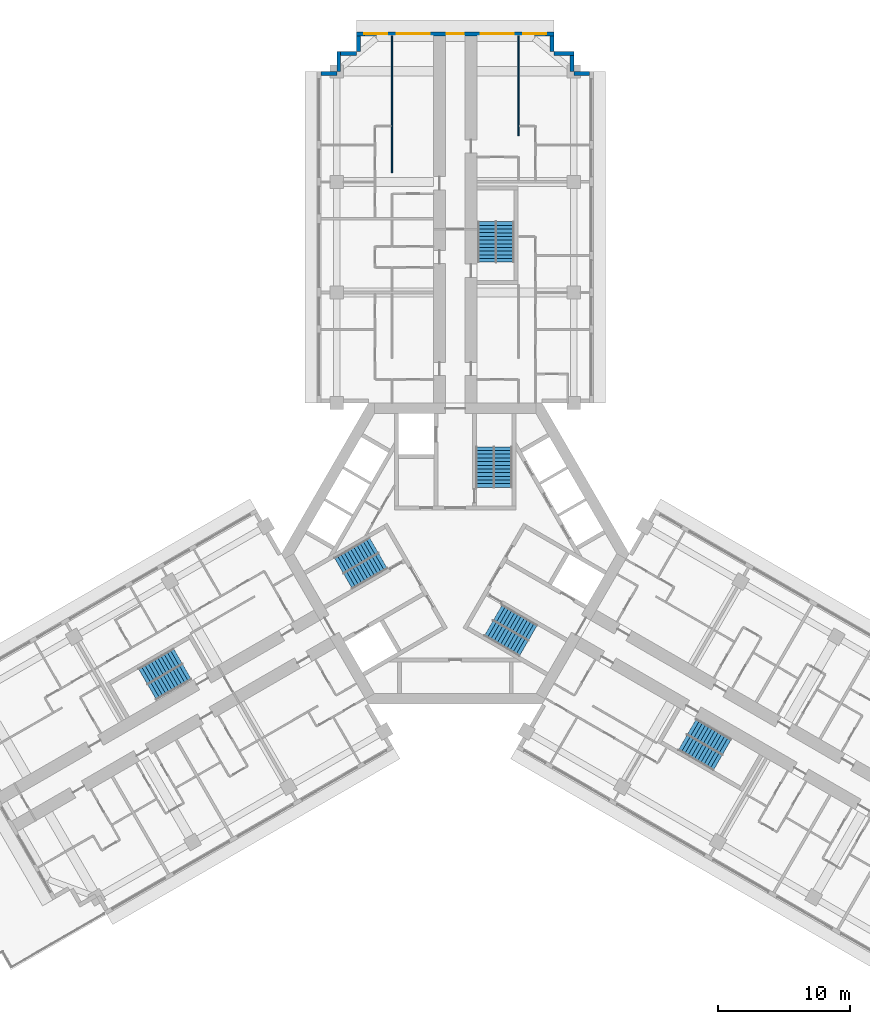
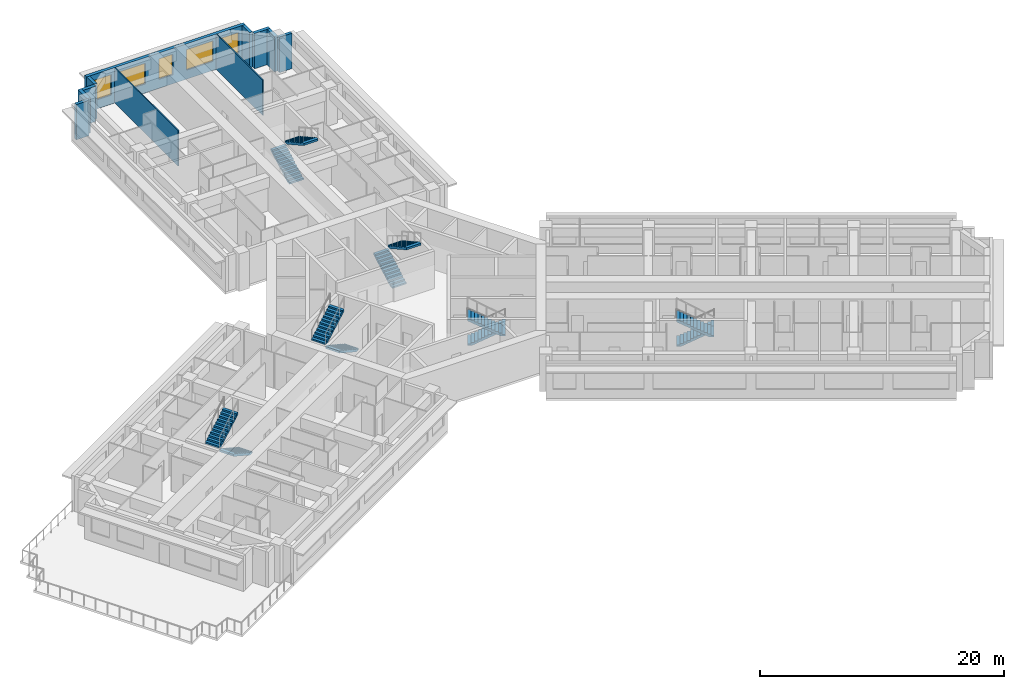
# One storey, part 13 of 15: 12 stair flights, 11 walls, 5 windows, 5 openings, 6 elements without a shape of their own.
"""IFC4 building model written with IfcOpenShell, lengths in metres."""

from ifc_helpers import new_model, si_unit, direction, frame, frame_2d, origin, place, context, subcontext, project, spatial, polyline, rectangle, outline, extrude, material, layer, layer_set, type_object, element, fill, aggregate, save


model = new_model("IFC4")

# Units and contexts
model_context = context("Model", 3, precision=1e-05, world=origin(), true_north=direction((0.0, 1.0)))
body_context = subcontext(model_context, "Body", "Model", "MODEL_VIEW")
ifc_project = project(units=[si_unit("LENGTHUNIT", "METRE"), si_unit("AREAUNIT", "SQUARE_METRE"), si_unit("VOLUMEUNIT", "CUBIC_METRE"), si_unit("PLANEANGLEUNIT", "RADIAN"), si_unit("MASSUNIT", "GRAM", prefix="KILO")], contexts=[model_context])

# Site, building, storey
site_placement = place(None, origin())
site = spatial("IfcSite", under=ifc_project, at=site_placement, CompositionType="ELEMENT")
building_placement = place(site_placement, origin())
building = spatial("IfcBuilding", under=site, at=building_placement, Name="Impinga Residences", CompositionType="ELEMENT")
storey_placement = place(building_placement, frame((0.0, 0.0, 132.25)))
storey = spatial("IfcBuildingStorey", under=building, at=storey_placement, Name="L32", CompositionType="ELEMENT", Elevation=132.25)

# Walls
ifc_material_1 = material(Name="Terracotta rainscreen on blockwork", Category="masonry")
ifc_layer_1 = layer(ifc_material_1, 0.300048828125)
ifc_layer_set_1 = layer_set([ifc_layer_1], Name="EW1 external wall, terracotta rainscreen on blockwork 300")
wall_type_1 = type_object("IfcWallType", Name="EW1 external wall, terracotta rainscreen on blockwork 300", PredefinedType="SOLIDWALL", material=ifc_layer_set_1)
wall_1_placement = place(storey_placement, frame((-10.199951171875, 36.4814453125, 0.0), z_axis=(0.0, 0.0, 1.0), x_axis=(1.0, 0.0, 0.0)))
element("IfcWall", 1, at=wall_1_placement, inside=storey, type_object=wall_type_1, Name="External wall EW1 L32", PredefinedType="SOLIDWALL", context=body_context, shape_type="SweptSolid", body=[
    extrude(rectangle(XDim=1.199951171875, YDim=0.300048828125, at=frame_2d((0.60009765625, 0.0))), origin(), (0.0, 0.0, 1.0), 3.530029296875),
])
wall_2_placement = place(storey_placement, frame((-8.85009765625, 36.636474609375, 0.0), z_axis=(0.0, 0.0, 1.0), x_axis=(0.0, 1.0, 0.0)))
element("IfcWall", 2, at=wall_2_placement, inside=storey, type_object=wall_type_1, Name="External wall EW1 L32", PredefinedType="SOLIDWALL", context=body_context, shape_type="SweptSolid", body=[
    extrude(rectangle(XDim=1.4951171875, YDim=0.300048828125, at=frame_2d((0.74755859375, 0.0))), origin(), (0.0, 0.0, 1.0), 3.530029296875),
])
wall_3_placement = place(storey_placement, frame((-8.699951171875, 37.9814453125, 0.0), z_axis=(0.0, 0.0, 1.0), x_axis=(1.0, 0.0, 0.0)))
element("IfcWall", 3, at=wall_3_placement, inside=storey, type_object=wall_type_1, Name="External wall EW1 L32", PredefinedType="SOLIDWALL", context=body_context, shape_type="SweptSolid", body=[
    extrude(rectangle(XDim=1.199951171875, YDim=0.300048828125, at=frame_2d((0.60009765625, 0.0))), origin(), (0.0, 0.0, 1.0), 3.530029296875),
])
wall_4_placement = place(storey_placement, frame((-7.35009765625, 38.136474609375, 0.0), z_axis=(0.0, 0.0, 1.0), x_axis=(0.0, 1.0, 0.0)))
element("IfcWall", 4, at=wall_4_placement, inside=storey, type_object=wall_type_1, Name="External wall EW1 L32", PredefinedType="SOLIDWALL", context=body_context, shape_type="SweptSolid", body=[
    extrude(rectangle(XDim=1.195068359375, YDim=0.300048828125, at=frame_2d((0.59765625, 0.0))), origin(), (0.0, 0.0, 1.0), 3.530029296875),
])

# Wall, openings, windows
wall_5_placement = place(storey_placement, frame((-7.5, 39.4814453125, 0.0), z_axis=(0.0, 0.0, 1.0), x_axis=(1.0, 0.0, 0.0)))
wall_5 = element("IfcWall", 5, at=wall_5_placement, inside=storey, type_object=wall_type_1, Name="External wall EW1 L32", PredefinedType="SOLIDWALL", context=body_context, shape_type="SweptSolid", body=[
    extrude(rectangle(XDim=15.0, YDim=0.300048828125, at=frame_2d((7.5, 0.0))), origin(), (0.0, 0.0, 1.0), 3.530029296875),
])
opening_1_placement = place(wall_5_placement, frame((0.60009765625, 0.0, 0.89990234375)))
opening_1 = element("IfcOpeningElement", 6, at=opening_1_placement, cuts=wall_5, Name="Opening W1", PredefinedType="OPENING", context=body_context, shape_type="SweptSolid", body=[
    extrude(rectangle(XDim=1.75, YDim=2.050048828125, at=frame_2d((0.875, 1.02490234375))), frame((0.0, 0.159912109375, 0.0), z_axis=(0.0, -1.0, 0.0), x_axis=(1.0, 0.0, 0.0)), (0.0, 0.0, 1.0), 0.320068359375),
])
opening_2_placement = place(wall_5_placement, frame((3.050048828125, 0.0, 0.89990234375)))
opening_2 = element("IfcOpeningElement", 7, at=opening_2_placement, cuts=wall_5, Name="Opening W2", PredefinedType="OPENING", context=body_context, shape_type="SweptSolid", body=[
    extrude(rectangle(XDim=2.5, YDim=2.050048828125, at=frame_2d((1.25, 1.02490234375))), frame((0.0, 0.159912109375, 0.0), z_axis=(0.0, -1.0, 0.0), x_axis=(1.0, 0.0, 0.0)), (0.0, 0.0, 1.0), 0.320068359375),
])
opening_3_placement = place(wall_5_placement, frame((6.85009765625, 0.0, 0.89990234375)))
opening_3 = element("IfcOpeningElement", 8, at=opening_3_placement, cuts=wall_5, Name="Opening W17", PredefinedType="OPENING", context=body_context, shape_type="SweptSolid", body=[
    extrude(rectangle(XDim=1.300048828125, YDim=2.050048828125, at=frame_2d((0.64990234375, 1.02490234375))), frame((0.0, 0.159912109375, 0.0), z_axis=(0.0, -1.0, 0.0), x_axis=(1.0, 0.0, 0.0)), (0.0, 0.0, 1.0), 0.320068359375),
])
opening_4_placement = place(wall_5_placement, frame((9.449951171875, 0.0, 0.89990234375)))
opening_4 = element("IfcOpeningElement", 9, at=opening_4_placement, cuts=wall_5, Name="Opening W2", PredefinedType="OPENING", context=body_context, shape_type="SweptSolid", body=[
    extrude(rectangle(XDim=2.5, YDim=2.050048828125, at=frame_2d((1.25, 1.02490234375))), frame((0.0, 0.159912109375, 0.0), z_axis=(0.0, -1.0, 0.0), x_axis=(1.0, 0.0, 0.0)), (0.0, 0.0, 1.0), 0.320068359375),
])
opening_5_placement = place(wall_5_placement, frame((12.64990234375, 0.0, 0.89990234375)))
opening_5 = element("IfcOpeningElement", 10, at=opening_5_placement, cuts=wall_5, Name="Opening W1", PredefinedType="OPENING", context=body_context, shape_type="SweptSolid", body=[
    extrude(rectangle(XDim=1.75, YDim=2.050048828125, at=frame_2d((0.875, 1.02490234375))), frame((0.0, 0.159912109375, 0.0), z_axis=(0.0, -1.0, 0.0), x_axis=(1.0, 0.0, 0.0)), (0.0, 0.0, 1.0), 0.320068359375),
])
ifc_material_2 = material(Name="Aluminium window, clear double glazing", Category="aluminium")
window_type_1 = type_object("IfcWindowType", Name="W1 ribbon window 1750x2050", PartitioningType="SINGLE_PANEL", PredefinedType="WINDOW", material=ifc_material_2)
window_1_placement = place(opening_1_placement, origin())
window_1 = element("IfcWindow", 11, at=window_1_placement, inside=storey, type_object=window_type_1, Name="Window L32", OverallHeight=2.050048828125, OverallWidth=1.75, PartitioningType="SINGLE_PANEL", PredefinedType="WINDOW", context=body_context, shape_type="SweptSolid", body=[
    extrude(rectangle(XDim=1.75, YDim=2.050048828125, at=frame_2d((0.875, 1.02490234375))), frame((0.0, 0.030029296875, 0.0), z_axis=(0.0, -1.0, 0.0), x_axis=(1.0, 0.0, 0.0)), (0.0, 0.0, 1.0), 0.06005859375),
])
fill(opening_1, window_1)
window_2_placement = place(opening_5_placement, origin())
window_2 = element("IfcWindow", 12, at=window_2_placement, inside=storey, type_object=window_type_1, Name="Window L32", OverallHeight=2.050048828125, OverallWidth=1.75, PartitioningType="SINGLE_PANEL", PredefinedType="WINDOW", context=body_context, shape_type="SweptSolid", body=[
    extrude(rectangle(XDim=1.75, YDim=2.050048828125, at=frame_2d((0.875, 1.02490234375))), frame((0.0, 0.030029296875, 0.0), z_axis=(0.0, -1.0, 0.0), x_axis=(1.0, 0.0, 0.0)), (0.0, 0.0, 1.0), 0.06005859375),
])
fill(opening_5, window_2)
window_type_2 = type_object("IfcWindowType", Name="W17 ribbon window 1300x2050", PartitioningType="SINGLE_PANEL", PredefinedType="WINDOW", material=ifc_material_2)
window_3_placement = place(opening_3_placement, origin())
window_3 = element("IfcWindow", 13, at=window_3_placement, inside=storey, type_object=window_type_2, Name="Window L32", OverallHeight=2.050048828125, OverallWidth=1.300048828125, PartitioningType="SINGLE_PANEL", PredefinedType="WINDOW", context=body_context, shape_type="SweptSolid", body=[
    extrude(rectangle(XDim=1.300048828125, YDim=2.050048828125, at=frame_2d((0.64990234375, 1.02490234375))), frame((0.0, 0.030029296875, 0.0), z_axis=(0.0, -1.0, 0.0), x_axis=(1.0, 0.0, 0.0)), (0.0, 0.0, 1.0), 0.06005859375),
])
fill(opening_3, window_3)
window_type_3 = type_object("IfcWindowType", Name="W2 ribbon window 2500x2050", PartitioningType="SINGLE_PANEL", PredefinedType="WINDOW", material=ifc_material_2)
window_4_placement = place(opening_2_placement, origin())
window_4 = element("IfcWindow", 14, at=window_4_placement, inside=storey, type_object=window_type_3, Name="Window L32", OverallHeight=2.050048828125, OverallWidth=2.5, PartitioningType="SINGLE_PANEL", PredefinedType="WINDOW", context=body_context, shape_type="SweptSolid", body=[
    extrude(rectangle(XDim=2.5, YDim=2.050048828125, at=frame_2d((1.25, 1.02490234375))), frame((0.0, 0.030029296875, 0.0), z_axis=(0.0, -1.0, 0.0), x_axis=(1.0, 0.0, 0.0)), (0.0, 0.0, 1.0), 0.06005859375),
])
fill(opening_2, window_4)
window_5_placement = place(opening_4_placement, origin())
window_5 = element("IfcWindow", 15, at=window_5_placement, inside=storey, type_object=window_type_3, Name="Window L32", OverallHeight=2.050048828125, OverallWidth=2.5, PartitioningType="SINGLE_PANEL", PredefinedType="WINDOW", context=body_context, shape_type="SweptSolid", body=[
    extrude(rectangle(XDim=2.5, YDim=2.050048828125, at=frame_2d((1.25, 1.02490234375))), frame((0.0, 0.030029296875, 0.0), z_axis=(0.0, -1.0, 0.0), x_axis=(1.0, 0.0, 0.0)), (0.0, 0.0, 1.0), 0.06005859375),
])
fill(opening_4, window_5)

# Walls
wall_6_placement = place(storey_placement, frame((7.35009765625, 39.33154296875, 0.0), z_axis=(0.0, 0.0, 1.0), x_axis=(0.0, -1.0, 0.0)))
element("IfcWall", 16, at=wall_6_placement, inside=storey, type_object=wall_type_1, Name="External wall EW1 L32", PredefinedType="SOLIDWALL", context=body_context, shape_type="SweptSolid", body=[
    extrude(rectangle(XDim=1.195068359375, YDim=0.300048828125, at=frame_2d((0.59765625, 0.0))), origin(), (0.0, 0.0, 1.0), 3.530029296875),
])
wall_7_placement = place(storey_placement, frame((7.5, 37.9814453125, 0.0), z_axis=(0.0, 0.0, 1.0), x_axis=(1.0, 0.0, 0.0)))
element("IfcWall", 17, at=wall_7_placement, inside=storey, type_object=wall_type_1, Name="External wall EW1 L32", PredefinedType="SOLIDWALL", context=body_context, shape_type="SweptSolid", body=[
    extrude(rectangle(XDim=1.5, YDim=0.300048828125, at=frame_2d((0.75, 0.0))), origin(), (0.0, 0.0, 1.0), 3.530029296875),
])
wall_8_placement = place(storey_placement, frame((8.85009765625, 37.83154296875, 0.0), z_axis=(0.0, 0.0, 1.0), x_axis=(0.0, -1.0, 0.0)))
element("IfcWall", 18, at=wall_8_placement, inside=storey, type_object=wall_type_1, Name="External wall EW1 L32", PredefinedType="SOLIDWALL", context=body_context, shape_type="SweptSolid", body=[
    extrude(rectangle(XDim=1.199951171875, YDim=0.300048828125, at=frame_2d((0.60009765625, 0.0))), origin(), (0.0, 0.0, 1.0), 3.530029296875),
])
wall_9_placement = place(storey_placement, frame((9.0048828125, 36.4814453125, 0.0), z_axis=(0.0, 0.0, 1.0), x_axis=(1.0, 0.0, 0.0)))
element("IfcWall", 19, at=wall_9_placement, inside=storey, type_object=wall_type_1, Name="External wall EW1 L32", PredefinedType="SOLIDWALL", context=body_context, shape_type="SweptSolid", body=[
    extrude(rectangle(XDim=1.195068359375, YDim=0.300048828125, at=frame_2d((0.59765625, 0.0))), origin(), (0.0, 0.0, 1.0), 3.530029296875),
])
ifc_material_3 = material(Name="Gypsum board on steel studs", Category="steel")
ifc_layer_2 = layer(ifc_material_3, 0.10009765625)
ifc_layer_set_2 = layer_set([ifc_layer_2], Name="Gypsum board on steel studs")
wall_type_2 = type_object("IfcWallType", Name="IP1 partition 100", PredefinedType="PARTITIONING", material=ifc_layer_set_2)
wall_10_placement = place(storey_placement, frame((-4.800048828125, 28.931640625, 0.0), z_axis=(0.0, 0.0, 1.0), x_axis=(0.0, 1.0, 0.0)))
element("IfcWall", 20, at=wall_10_placement, inside=storey, type_object=wall_type_2, Name="Partition L32-NA3:DIV1", PredefinedType="PARTITIONING", context=body_context, shape_type="SweptSolid", body=[
    extrude(rectangle(XDim=10.39990234375, YDim=0.10009765625, at=frame_2d((5.199951171875, 0.0))), origin(), (0.0, 0.0, 1.0), 3.530029296875),
])
wall_11_placement = place(storey_placement, frame((4.800048828125, 31.7314453125, 0.0), z_axis=(0.0, 0.0, 1.0), x_axis=(0.0, 1.0, 0.0)))
element("IfcWall", 21, at=wall_11_placement, inside=storey, type_object=wall_type_2, Name="Partition L32-NF2:DIV1", PredefinedType="PARTITIONING", context=body_context, shape_type="SweptSolid", body=[
    extrude(rectangle(XDim=7.60009765625, YDim=0.10009765625, at=frame_2d((3.800048828125, 0.0))), origin(), (0.0, 0.0, 1.0), 3.530029296875),
])

# Stair, stair flights
ifc_material_4 = material(Name="Concrete C40/50", Category="concrete")
stair_type_1 = type_object("IfcStairType", Name="STR core stair 3750 storey, 24 risers", PredefinedType="HALF_TURN_STAIR", material=ifc_material_4)
stair_1_placement = place(storey_placement, origin())
stair_1 = element("IfcStair", 22, at=stair_1_placement, inside=storey, type_object=stair_type_1, Name="Stair ST1 L32", PredefinedType="HALF_TURN_STAIR")
stair_flight_type = type_object("IfcStairFlightType", Name="SF 12 risers of 156", PredefinedType="STRAIGHT", material=ifc_material_4)
stair_flight_1_placement = place(storey_placement, frame((2.27490234375, 5.030029296875, 0.0), z_axis=(0.0, 0.0, 1.0), x_axis=(0.0, 1.0, 0.0)))
stair_flight_1 = element("IfcStairFlight", 23, at=stair_flight_1_placement, type_object=stair_flight_type, Name="ST1 flight 1", NumberOfRisers=12, NumberOfTreads=11, PredefinedType="STRAIGHT", RiserHeight=0.15625, TreadLength=0.28, context=body_context, shape_type="SweptSolid", body=[
    extrude(outline(polyline([(0.0, 0.0), (0.0, 0.15625), (0.280029296875, 0.15625), (0.280029296875, 0.3125), (0.56005859375, 0.3125), (0.56005859375, 0.46875), (0.840087890625, 0.46875), (0.840087890625, 0.625), (1.1201171875, 0.625), (1.1201171875, 0.78125), (1.39990234375, 0.78125), (1.39990234375, 0.9375), (1.679931640625, 0.9375), (1.679931640625, 1.09375), (1.9599609375, 1.09375), (1.9599609375, 1.25), (2.239990234375, 1.25), (2.239990234375, 1.40625), (2.52001953125, 1.40625), (2.52001953125, 1.5625), (2.800048828125, 1.5625), (2.800048828125, 1.71875), (3.080078125, 1.71875), (3.080078125, 1.875), (3.080078125, 1.5126953125), (0.369140625, 0.0), (0.0, 0.0)])), frame((0.0, 0.675048828125, 0.0), z_axis=(0.0, -1.0, 0.0), x_axis=(1.0, 0.0, 0.0)), (0.0, 0.0, 1.0), 1.35009765625),
])
stair_flight_2_placement = place(storey_placement, frame((3.625, 8.110107421875, 1.875), z_axis=(0.0, 0.0, 1.0), x_axis=(0.0, -1.0, 0.0)))
stair_flight_2 = element("IfcStairFlight", 24, at=stair_flight_2_placement, type_object=stair_flight_type, Name="ST1 flight 2", NumberOfRisers=12, NumberOfTreads=11, PredefinedType="STRAIGHT", RiserHeight=0.15625, TreadLength=0.28, context=body_context, shape_type="SweptSolid", body=[
    extrude(outline(polyline([(0.0, 0.0), (0.0, 0.15625), (0.280029296875, 0.15625), (0.280029296875, 0.3125), (0.56005859375, 0.3125), (0.56005859375, 0.46875), (0.840087890625, 0.46875), (0.840087890625, 0.625), (1.1201171875, 0.625), (1.1201171875, 0.78125), (1.39990234375, 0.78125), (1.39990234375, 0.9375), (1.679931640625, 0.9375), (1.679931640625, 1.09375), (1.9599609375, 1.09375), (1.9599609375, 1.25), (2.239990234375, 1.25), (2.239990234375, 1.40625), (2.52001953125, 1.40625), (2.52001953125, 1.5625), (2.800048828125, 1.5625), (2.800048828125, 1.71875), (3.080078125, 1.71875), (3.080078125, 1.875), (3.080078125, 1.5126953125), (0.369140625, 0.0), (0.0, 0.0)])), frame((0.0, 0.675048828125, 0.0), z_axis=(0.0, -1.0, 0.0), x_axis=(1.0, 0.0, 0.0)), (0.0, 0.0, 1.0), 1.35009765625),
])
aggregate(stair_1, [stair_flight_1, stair_flight_2])

stair_2_placement = place(storey_placement, origin())
stair_2 = element("IfcStair", 25, at=stair_2_placement, inside=storey, type_object=stair_type_1, Name="Stair ST2 L32", PredefinedType="HALF_TURN_STAIR")
stair_flight_3_placement = place(storey_placement, frame((-5.49365234375, -0.544677734375, 0.0), z_axis=(0.0, 0.0, 1.0), x_axis=(-0.866025403784, -0.5, 0.0)))
stair_flight_3 = element("IfcStairFlight", 26, at=stair_flight_3_placement, type_object=stair_flight_type, Name="ST2 flight 1", NumberOfRisers=12, NumberOfTreads=11, PredefinedType="STRAIGHT", RiserHeight=0.15625, TreadLength=0.28, context=body_context, shape_type="SweptSolid", body=[
    extrude(outline(polyline([(0.0, 0.0), (0.0, 0.15625), (0.280029296875, 0.15625), (0.280029296875, 0.3125), (0.56005859375, 0.3125), (0.56005859375, 0.46875), (0.840087890625, 0.46875), (0.840087890625, 0.625), (1.1201171875, 0.625), (1.1201171875, 0.78125), (1.39990234375, 0.78125), (1.39990234375, 0.9375), (1.679931640625, 0.9375), (1.679931640625, 1.09375), (1.9599609375, 1.09375), (1.9599609375, 1.25), (2.239990234375, 1.25), (2.239990234375, 1.40625), (2.52001953125, 1.40625), (2.52001953125, 1.5625), (2.800048828125, 1.5625), (2.800048828125, 1.71875), (3.080078125, 1.71875), (3.080078125, 1.875), (3.080078125, 1.5126953125), (0.369140625, 0.0), (0.0, 0.0)])), frame((0.0, 0.675048828125, 0.0), z_axis=(0.0, -1.0, 0.0), x_axis=(1.0, 0.0, 0.0)), (0.0, 0.0, 1.0), 1.35009765625),
])
stair_flight_4_placement = place(storey_placement, frame((-8.8359375, -0.915771484375, 1.875), z_axis=(0.0, 0.0, 1.0), x_axis=(0.866025403784, 0.5, 0.0)))
stair_flight_4 = element("IfcStairFlight", 27, at=stair_flight_4_placement, type_object=stair_flight_type, Name="ST2 flight 2", NumberOfRisers=12, NumberOfTreads=11, PredefinedType="STRAIGHT", RiserHeight=0.15625, TreadLength=0.28, context=body_context, shape_type="SweptSolid", body=[
    extrude(outline(polyline([(0.0, 0.0), (0.0, 0.15625), (0.280029296875, 0.15625), (0.280029296875, 0.3125), (0.56005859375, 0.3125), (0.56005859375, 0.46875), (0.840087890625, 0.46875), (0.840087890625, 0.625), (1.1201171875, 0.625), (1.1201171875, 0.78125), (1.39990234375, 0.78125), (1.39990234375, 0.9375), (1.679931640625, 0.9375), (1.679931640625, 1.09375), (1.9599609375, 1.09375), (1.9599609375, 1.25), (2.239990234375, 1.25), (2.239990234375, 1.40625), (2.52001953125, 1.40625), (2.52001953125, 1.5625), (2.800048828125, 1.5625), (2.800048828125, 1.71875), (3.080078125, 1.71875), (3.080078125, 1.875), (3.080078125, 1.5126953125), (0.369140625, 0.0), (0.0, 0.0)])), frame((0.0, 0.675048828125, 0.0), z_axis=(0.0, -1.0, 0.0), x_axis=(1.0, 0.0, 0.0)), (0.0, 0.0, 1.0), 1.35009765625),
])
aggregate(stair_2, [stair_flight_3, stair_flight_4])

stair_3_placement = place(storey_placement, origin())
stair_3 = element("IfcStair", 28, at=stair_3_placement, inside=storey, type_object=stair_type_1, Name="Stair ST3 L32", PredefinedType="HALF_TURN_STAIR")
stair_flight_5_placement = place(storey_placement, frame((3.218505859375, -4.485107421875, 0.0), z_axis=(0.0, 0.0, 1.0), x_axis=(0.866025403784, -0.5, 0.0)))
stair_flight_5 = element("IfcStairFlight", 29, at=stair_flight_5_placement, type_object=stair_flight_type, Name="ST3 flight 1", NumberOfRisers=12, NumberOfTreads=11, PredefinedType="STRAIGHT", RiserHeight=0.15625, TreadLength=0.28, context=body_context, shape_type="SweptSolid", body=[
    extrude(outline(polyline([(0.0, 0.0), (0.0, 0.15625), (0.280029296875, 0.15625), (0.280029296875, 0.3125), (0.56005859375, 0.3125), (0.56005859375, 0.46875), (0.840087890625, 0.46875), (0.840087890625, 0.625), (1.1201171875, 0.625), (1.1201171875, 0.78125), (1.39990234375, 0.78125), (1.39990234375, 0.9375), (1.679931640625, 0.9375), (1.679931640625, 1.09375), (1.9599609375, 1.09375), (1.9599609375, 1.25), (2.239990234375, 1.25), (2.239990234375, 1.40625), (2.52001953125, 1.40625), (2.52001953125, 1.5625), (2.800048828125, 1.5625), (2.800048828125, 1.71875), (3.080078125, 1.71875), (3.080078125, 1.875), (3.080078125, 1.5126953125), (0.369140625, 0.0), (0.0, 0.0)])), frame((0.0, 0.675048828125, 0.0), z_axis=(0.0, -1.0, 0.0), x_axis=(1.0, 0.0, 0.0)), (0.0, 0.0, 1.0), 1.35009765625),
])
stair_flight_6_placement = place(storey_placement, frame((5.2109375, -7.1943359375, 1.875), z_axis=(0.0, 0.0, 1.0), x_axis=(-0.866025403784, 0.5, 0.0)))
stair_flight_6 = element("IfcStairFlight", 30, at=stair_flight_6_placement, type_object=stair_flight_type, Name="ST3 flight 2", NumberOfRisers=12, NumberOfTreads=11, PredefinedType="STRAIGHT", RiserHeight=0.15625, TreadLength=0.28, context=body_context, shape_type="SweptSolid", body=[
    extrude(outline(polyline([(0.0, 0.0), (0.0, 0.15625), (0.280029296875, 0.15625), (0.280029296875, 0.3125), (0.56005859375, 0.3125), (0.56005859375, 0.46875), (0.840087890625, 0.46875), (0.840087890625, 0.625), (1.1201171875, 0.625), (1.1201171875, 0.78125), (1.39990234375, 0.78125), (1.39990234375, 0.9375), (1.679931640625, 0.9375), (1.679931640625, 1.09375), (1.9599609375, 1.09375), (1.9599609375, 1.25), (2.239990234375, 1.25), (2.239990234375, 1.40625), (2.52001953125, 1.40625), (2.52001953125, 1.5625), (2.800048828125, 1.5625), (2.800048828125, 1.71875), (3.080078125, 1.71875), (3.080078125, 1.875), (3.080078125, 1.5126953125), (0.369140625, 0.0), (0.0, 0.0)])), frame((0.0, 0.675048828125, 0.0), z_axis=(0.0, -1.0, 0.0), x_axis=(1.0, 0.0, 0.0)), (0.0, 0.0, 1.0), 1.35009765625),
])
aggregate(stair_3, [stair_flight_5, stair_flight_6])

stair_type_2 = type_object("IfcStairType", Name="STR wing stair 3750 storey, 24 risers", PredefinedType="HALF_TURN_STAIR", material=ifc_material_4)
stair_4_placement = place(storey_placement, origin())
stair_4 = element("IfcStair", 31, at=stair_4_placement, inside=storey, type_object=stair_type_2, Name="Stair WS1 L32", PredefinedType="HALF_TURN_STAIR")
stair_flight_7_placement = place(storey_placement, frame((2.425048828125, 22.131591796875, 0.0), z_axis=(0.0, 0.0, 1.0), x_axis=(0.0, 1.0, 0.0)))
stair_flight_7 = element("IfcStairFlight", 32, at=stair_flight_7_placement, type_object=stair_flight_type, Name="WS1 flight 1", NumberOfRisers=12, NumberOfTreads=11, PredefinedType="STRAIGHT", RiserHeight=0.15625, TreadLength=0.28, context=body_context, shape_type="SweptSolid", body=[
    extrude(outline(polyline([(0.0, 0.0), (0.0, 0.15625), (0.280029296875, 0.15625), (0.280029296875, 0.3125), (0.56005859375, 0.3125), (0.56005859375, 0.46875), (0.840087890625, 0.46875), (0.840087890625, 0.625), (1.1201171875, 0.625), (1.1201171875, 0.78125), (1.39990234375, 0.78125), (1.39990234375, 0.9375), (1.679931640625, 0.9375), (1.679931640625, 1.09375), (1.9599609375, 1.09375), (1.9599609375, 1.25), (2.239990234375, 1.25), (2.239990234375, 1.40625), (2.52001953125, 1.40625), (2.52001953125, 1.5625), (2.800048828125, 1.5625), (2.800048828125, 1.71875), (3.080078125, 1.71875), (3.080078125, 1.875), (3.080078125, 1.5126953125), (0.369140625, 0.0), (0.0, 0.0)])), frame((0.0, 0.675048828125, 0.0), z_axis=(0.0, -1.0, 0.0), x_axis=(1.0, 0.0, 0.0)), (0.0, 0.0, 1.0), 1.35009765625),
])
stair_flight_8_placement = place(storey_placement, frame((3.77490234375, 25.21142578125, 1.875), z_axis=(0.0, 0.0, 1.0), x_axis=(0.0, -1.0, 0.0)))
stair_flight_8 = element("IfcStairFlight", 33, at=stair_flight_8_placement, type_object=stair_flight_type, Name="WS1 flight 2", NumberOfRisers=12, NumberOfTreads=11, PredefinedType="STRAIGHT", RiserHeight=0.15625, TreadLength=0.28, context=body_context, shape_type="SweptSolid", body=[
    extrude(outline(polyline([(0.0, 0.0), (0.0, 0.15625), (0.280029296875, 0.15625), (0.280029296875, 0.3125), (0.56005859375, 0.3125), (0.56005859375, 0.46875), (0.840087890625, 0.46875), (0.840087890625, 0.625), (1.1201171875, 0.625), (1.1201171875, 0.78125), (1.39990234375, 0.78125), (1.39990234375, 0.9375), (1.679931640625, 0.9375), (1.679931640625, 1.09375), (1.9599609375, 1.09375), (1.9599609375, 1.25), (2.239990234375, 1.25), (2.239990234375, 1.40625), (2.52001953125, 1.40625), (2.52001953125, 1.5625), (2.800048828125, 1.5625), (2.800048828125, 1.71875), (3.080078125, 1.71875), (3.080078125, 1.875), (3.080078125, 1.5126953125), (0.369140625, 0.0), (0.0, 0.0)])), frame((0.0, 0.675048828125, 0.0), z_axis=(0.0, -1.0, 0.0), x_axis=(1.0, 0.0, 0.0)), (0.0, 0.0, 1.0), 1.35009765625),
])
aggregate(stair_4, [stair_flight_7, stair_flight_8])

stair_5_placement = place(storey_placement, origin())
stair_5 = element("IfcStair", 34, at=stair_5_placement, inside=storey, type_object=stair_type_2, Name="Stair WS2 L32", PredefinedType="HALF_TURN_STAIR")
stair_flight_9_placement = place(storey_placement, frame((-20.37890625, -8.965576171875, 0.0), z_axis=(0.0, 0.0, 1.0), x_axis=(-0.866025403784, -0.5, 0.0)))
stair_flight_9 = element("IfcStairFlight", 35, at=stair_flight_9_placement, type_object=stair_flight_type, Name="WS2 flight 1", NumberOfRisers=12, NumberOfTreads=11, PredefinedType="STRAIGHT", RiserHeight=0.15625, TreadLength=0.28, context=body_context, shape_type="SweptSolid", body=[
    extrude(outline(polyline([(0.0, 0.0), (0.0, 0.15625), (0.280029296875, 0.15625), (0.280029296875, 0.3125), (0.56005859375, 0.3125), (0.56005859375, 0.46875), (0.840087890625, 0.46875), (0.840087890625, 0.625), (1.1201171875, 0.625), (1.1201171875, 0.78125), (1.39990234375, 0.78125), (1.39990234375, 0.9375), (1.679931640625, 0.9375), (1.679931640625, 1.09375), (1.9599609375, 1.09375), (1.9599609375, 1.25), (2.239990234375, 1.25), (2.239990234375, 1.40625), (2.52001953125, 1.40625), (2.52001953125, 1.5625), (2.800048828125, 1.5625), (2.800048828125, 1.71875), (3.080078125, 1.71875), (3.080078125, 1.875), (3.080078125, 1.5126953125), (0.369140625, 0.0), (0.0, 0.0)])), frame((0.0, 0.675048828125, 0.0), z_axis=(0.0, -1.0, 0.0), x_axis=(1.0, 0.0, 0.0)), (0.0, 0.0, 1.0), 1.35009765625),
])
stair_flight_10_placement = place(storey_placement, frame((-23.721435546875, -9.33642578125, 1.875), z_axis=(0.0, 0.0, 1.0), x_axis=(0.866025403784, 0.5, 0.0)))
stair_flight_10 = element("IfcStairFlight", 36, at=stair_flight_10_placement, type_object=stair_flight_type, Name="WS2 flight 2", NumberOfRisers=12, NumberOfTreads=11, PredefinedType="STRAIGHT", RiserHeight=0.15625, TreadLength=0.28, context=body_context, shape_type="SweptSolid", body=[
    extrude(outline(polyline([(0.0, 0.0), (0.0, 0.15625), (0.280029296875, 0.15625), (0.280029296875, 0.3125), (0.56005859375, 0.3125), (0.56005859375, 0.46875), (0.840087890625, 0.46875), (0.840087890625, 0.625), (1.1201171875, 0.625), (1.1201171875, 0.78125), (1.39990234375, 0.78125), (1.39990234375, 0.9375), (1.679931640625, 0.9375), (1.679931640625, 1.09375), (1.9599609375, 1.09375), (1.9599609375, 1.25), (2.239990234375, 1.25), (2.239990234375, 1.40625), (2.52001953125, 1.40625), (2.52001953125, 1.5625), (2.800048828125, 1.5625), (2.800048828125, 1.71875), (3.080078125, 1.71875), (3.080078125, 1.875), (3.080078125, 1.5126953125), (0.369140625, 0.0), (0.0, 0.0)])), frame((0.0, 0.675048828125, 0.0), z_axis=(0.0, -1.0, 0.0), x_axis=(1.0, 0.0, 0.0)), (0.0, 0.0, 1.0), 1.35009765625),
])
aggregate(stair_5, [stair_flight_9, stair_flight_10])

stair_6_placement = place(storey_placement, origin())
stair_6 = element("IfcStair", 37, at=stair_6_placement, inside=storey, type_object=stair_type_2, Name="Stair WS3 L32", PredefinedType="HALF_TURN_STAIR")
stair_flight_11_placement = place(storey_placement, frame((17.953857421875, -13.165771484375, 0.0), z_axis=(0.0, 0.0, 1.0), x_axis=(0.866025403784, -0.5, 0.0)))
stair_flight_11 = element("IfcStairFlight", 38, at=stair_flight_11_placement, type_object=stair_flight_type, Name="WS3 flight 1", NumberOfRisers=12, NumberOfTreads=11, PredefinedType="STRAIGHT", RiserHeight=0.15625, TreadLength=0.28, context=body_context, shape_type="SweptSolid", body=[
    extrude(outline(polyline([(0.0, 0.0), (0.0, 0.15625), (0.280029296875, 0.15625), (0.280029296875, 0.3125), (0.56005859375, 0.3125), (0.56005859375, 0.46875), (0.840087890625, 0.46875), (0.840087890625, 0.625), (1.1201171875, 0.625), (1.1201171875, 0.78125), (1.39990234375, 0.78125), (1.39990234375, 0.9375), (1.679931640625, 0.9375), (1.679931640625, 1.09375), (1.9599609375, 1.09375), (1.9599609375, 1.25), (2.239990234375, 1.25), (2.239990234375, 1.40625), (2.52001953125, 1.40625), (2.52001953125, 1.5625), (2.800048828125, 1.5625), (2.800048828125, 1.71875), (3.080078125, 1.71875), (3.080078125, 1.875), (3.080078125, 1.5126953125), (0.369140625, 0.0), (0.0, 0.0)])), frame((0.0, 0.675048828125, 0.0), z_axis=(0.0, -1.0, 0.0), x_axis=(1.0, 0.0, 0.0)), (0.0, 0.0, 1.0), 1.35009765625),
])
stair_flight_12_placement = place(storey_placement, frame((19.9462890625, -15.875, 1.875), z_axis=(0.0, 0.0, 1.0), x_axis=(-0.866025403784, 0.5, 0.0)))
stair_flight_12 = element("IfcStairFlight", 39, at=stair_flight_12_placement, type_object=stair_flight_type, Name="WS3 flight 2", NumberOfRisers=12, NumberOfTreads=11, PredefinedType="STRAIGHT", RiserHeight=0.15625, TreadLength=0.28, context=body_context, shape_type="SweptSolid", body=[
    extrude(outline(polyline([(0.0, 0.0), (0.0, 0.15625), (0.280029296875, 0.15625), (0.280029296875, 0.3125), (0.56005859375, 0.3125), (0.56005859375, 0.46875), (0.840087890625, 0.46875), (0.840087890625, 0.625), (1.1201171875, 0.625), (1.1201171875, 0.78125), (1.39990234375, 0.78125), (1.39990234375, 0.9375), (1.679931640625, 0.9375), (1.679931640625, 1.09375), (1.9599609375, 1.09375), (1.9599609375, 1.25), (2.239990234375, 1.25), (2.239990234375, 1.40625), (2.52001953125, 1.40625), (2.52001953125, 1.5625), (2.800048828125, 1.5625), (2.800048828125, 1.71875), (3.080078125, 1.71875), (3.080078125, 1.875), (3.080078125, 1.5126953125), (0.369140625, 0.0), (0.0, 0.0)])), frame((0.0, 0.675048828125, 0.0), z_axis=(0.0, -1.0, 0.0), x_axis=(1.0, 0.0, 0.0)), (0.0, 0.0, 1.0), 1.35009765625),
])
aggregate(stair_6, [stair_flight_11, stair_flight_12])

save(model, "model.ifc")
